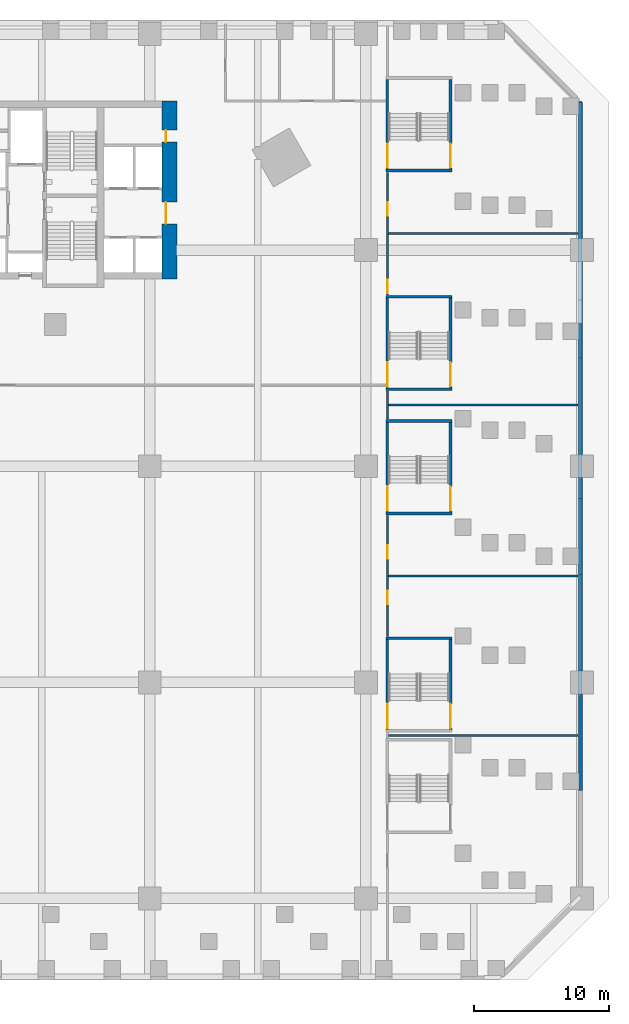
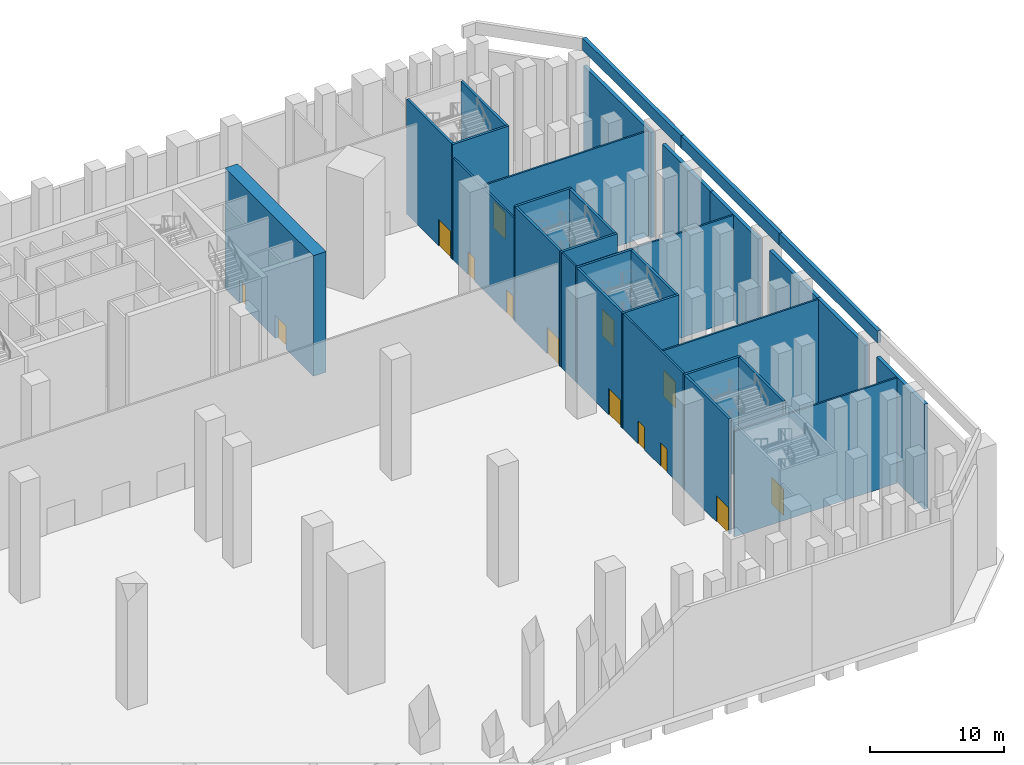
# One storey, part 10 of 31: 31 walls, 14 doors, 14 openings.
"""IFC4 building model written with IfcOpenShell, lengths in metres."""

from ifc_helpers import new_model, si_unit, direction, frame, frame_2d, origin, place, context, subcontext, project, spatial, rectangle, extrude, material, layer, layer_set, type_object, element, fill, save


model = new_model("IFC4")

# Units and contexts
model_context = context("Model", 3, precision=1e-05, world=origin(), true_north=direction((0.0, 1.0)))
body_context = subcontext(model_context, "Body", "Model", "MODEL_VIEW")
ifc_project = project(units=[si_unit("LENGTHUNIT", "METRE"), si_unit("AREAUNIT", "SQUARE_METRE"), si_unit("VOLUMEUNIT", "CUBIC_METRE"), si_unit("PLANEANGLEUNIT", "RADIAN"), si_unit("MASSUNIT", "GRAM", prefix="KILO")], contexts=[model_context])

# Site, building, storey
site_placement = place(None, origin())
site = spatial("IfcSite", under=ifc_project, at=site_placement, CompositionType="ELEMENT")
building_placement = place(site_placement, origin())
building = spatial("IfcBuilding", under=site, at=building_placement, Name="Calabash Gate Tower", CompositionType="ELEMENT")
storey_placement = place(building_placement, frame((0.0, 0.0, 9.0)))
storey = spatial("IfcBuildingStorey", under=building, at=storey_placement, Name="L01", CompositionType="ELEMENT", Elevation=9.0)

# Wall, openings, doors
ifc_material_1 = material(Name="Concrete C80/95", Category="concrete")
ifc_layer_1 = layer(ifc_material_1, 1.10009765625)
ifc_layer_set_1 = layer_set([ifc_layer_1], Name="Core wall 1100 Concrete C80/95")
wall_type_1 = type_object("IfcWallType", Name="Core wall 1100 Concrete C80/95", PredefinedType="SHEAR", material=ifc_layer_set_1)
wall_1_placement = place(storey_placement, frame((17.449951171875, 5.8525390625, 0.0), z_axis=(0.0, 0.0, 1.0), x_axis=(0.0, 1.0, 0.0)))
wall_1 = element("IfcWall", 1, at=wall_1_placement, inside=storey, type_object=wall_type_1, Name="Core wall Z0-ENDE L01", PredefinedType="SHEAR", context=body_context, shape_type="SweptSolid", body=[
    extrude(rectangle(XDim=13.199951171875, YDim=1.10009765625, at=frame_2d((6.60009765625, 0.0))), origin(), (0.0, 0.0, 1.0), 11.0),
])
opening_1_placement = place(wall_1_placement, frame((4.10009765625, 0.0, 0.0)))
opening_1 = element("IfcOpeningElement", 2, at=opening_1_placement, cuts=wall_1, Name="Opening L01-016", PredefinedType="OPENING", context=body_context, shape_type="SweptSolid", body=[
    extrude(rectangle(XDim=1.60009765625, YDim=2.10009765625, at=frame_2d((0.800048828125, 1.050048828125))), frame((0.0, 0.56005859375, 0.0), z_axis=(0.0, -1.0, 0.0), x_axis=(1.0, 0.0, 0.0)), (0.0, 0.0, 1.0), 1.1201171875),
])
opening_2_placement = place(wall_1_placement, frame((10.14990234375, 0.0, 0.0)))
opening_2 = element("IfcOpeningElement", 3, at=opening_2_placement, cuts=wall_1, Name="Opening L01-017", PredefinedType="OPENING", context=body_context, shape_type="SweptSolid", body=[
    extrude(rectangle(XDim=0.89990234375, YDim=2.10009765625, at=frame_2d((0.449951171875, 1.050048828125))), frame((0.0, 0.56005859375, 0.0), z_axis=(0.0, -1.0, 0.0), x_axis=(1.0, 0.0, 0.0)), (0.0, 0.0, 1.0), 1.1201171875),
])
ifc_material_2 = material(Name="Steel fire door set with fire-resisting glazing", Category="steel")
door_type_1 = type_object("IfcDoorType", Name="Double fire door D08 1600x2100 FD60", OperationType="DOUBLE_DOOR_SINGLE_SWING", PredefinedType="DOOR", material=ifc_material_2)
door_1_placement = place(opening_1_placement, origin())
door_1 = element("IfcDoor", 4, at=door_1_placement, inside=storey, type_object=door_type_1, Name="Low-rise Lift Lobby E door", OperationType="DOUBLE_DOOR_SINGLE_SWING", OverallHeight=2.10009765625, OverallWidth=1.60009765625, PredefinedType="DOOR", context=body_context, shape_type="SweptSolid", body=[
    extrude(rectangle(XDim=1.60009765625, YDim=2.10009765625, at=frame_2d((0.800048828125, 1.050048828125))), frame((0.0, 0.27490234375, 0.0), z_axis=(0.0, -1.0, 0.0), x_axis=(1.0, 0.0, 0.0)), (0.0, 0.0, 1.0), 0.050048828125),
])
fill(opening_1, door_1)
ifc_material_3 = material(Name="Steel fire door set with fire-resisting glazing", Category="steel")
door_type_2 = type_object("IfcDoorType", Name="Fire door D06 900x2100 FD60", OperationType="NOTDEFINED", PredefinedType="DOOR", material=ifc_material_3)
door_2_placement = place(opening_2_placement, origin())
door_2 = element("IfcDoor", 5, at=door_2_placement, inside=storey, type_object=door_type_2, Name="Meter Room door", OperationType="SINGLE_SWING_LEFT", OverallHeight=2.10009765625, OverallWidth=0.89990234375, PredefinedType="DOOR", context=body_context, shape_type="SweptSolid", body=[
    extrude(rectangle(XDim=0.89990234375, YDim=2.10009765625, at=frame_2d((0.449951171875, 1.050048828125))), frame((0.0, 0.27490234375, 0.0), z_axis=(0.0, -1.0, 0.0), x_axis=(1.0, 0.0, 0.0)), (0.0, 0.0, 1.0), 0.050048828125),
])
fill(opening_2, door_2)

# Wall
ifc_material_4 = material(Name="Gypsum board on steel studs, mineral wool", Category="steel")
ifc_layer_2 = layer(ifc_material_4, 0.14990234375)
ifc_layer_set_2 = layer_set([ifc_layer_2], Name="Partition 150 gypsum board")
wall_type_2 = type_object("IfcWallType", Name="Partition 150 gypsum board", PredefinedType="PARTITIONING", material=ifc_layer_set_2)
wall_2_placement = place(storey_placement, frame((33.675048828125, -27.925048828125, 0.0), z_axis=(0.0, 0.0, 1.0), x_axis=(1.0, 0.0, 0.0)))
element("IfcWall", 6, at=wall_2_placement, inside=storey, type_object=wall_type_2, Name="Partition", PredefinedType="PARTITIONING", context=body_context, shape_type="SweptSolid", body=[
    extrude(rectangle(XDim=14.044921875, YDim=0.14990234375, at=frame_2d((7.0224609375, 0.0))), origin(), (0.0, 0.0, 1.0), 9.60009765625),
])

# Wall, openings, doors
wall_3_placement = place(storey_placement, frame((33.60009765625, -20.610107421875, 0.0), z_axis=(0.0, 0.0, 1.0), x_axis=(0.0, 1.0, 0.0)))
wall_3 = element("IfcWall", 7, at=wall_3_placement, inside=storey, type_object=wall_type_2, Name="Partition", PredefinedType="PARTITIONING", context=body_context, shape_type="SweptSolid", body=[
    extrude(rectangle(XDim=8.97021484375, YDim=0.14990234375, at=frame_2d((4.485107421875, 0.0))), origin(), (0.0, 0.0, 1.0), 10.5),
])
opening_3_placement = place(wall_3_placement, frame((2.385009765625, 0.0, 0.0)))
opening_3 = element("IfcOpeningElement", 8, at=opening_3_placement, cuts=wall_3, Name="Opening L01-054", PredefinedType="OPENING", context=body_context, shape_type="SweptSolid", body=[
    extrude(rectangle(XDim=1.0, YDim=2.10009765625, at=frame_2d((0.5, 1.050048828125))), frame((0.0, 0.0849609375, 0.0), z_axis=(0.0, -1.0, 0.0), x_axis=(1.0, 0.0, 0.0)), (0.0, 0.0, 1.0), 0.169921875),
])
opening_4_placement = place(wall_3_placement, frame((5.759033203125, 0.0, 0.0)))
opening_4 = element("IfcOpeningElement", 9, at=opening_4_placement, cuts=wall_3, Name="Opening L01-055", PredefinedType="OPENING", context=body_context, shape_type="SweptSolid", body=[
    extrude(rectangle(XDim=1.0, YDim=2.10009765625, at=frame_2d((0.5, 1.050048828125))), frame((0.0, 0.0849609375, 0.0), z_axis=(0.0, -1.0, 0.0), x_axis=(1.0, 0.0, 0.0)), (0.0, 0.0, 1.0), 0.169921875),
])
ifc_material_5 = material(Name="Steel fire door set with fire-resisting glazing", Category="steel")
door_type_3 = type_object("IfcDoorType", Name="Fire door D11 1000x2100 FD60", OperationType="NOTDEFINED", PredefinedType="DOOR", material=ifc_material_5)
door_3_placement = place(opening_3_placement, origin())
door_3 = element("IfcDoor", 10, at=door_3_placement, inside=storey, type_object=door_type_3, Name="First Aid Room door", OperationType="SINGLE_SWING_LEFT", OverallHeight=2.10009765625, OverallWidth=1.0, PredefinedType="DOOR", context=body_context, shape_type="SweptSolid", body=[
    extrude(rectangle(XDim=1.0, YDim=2.10009765625, at=frame_2d((0.5, 1.050048828125))), frame((0.0, 0.02490234375, 0.0), z_axis=(0.0, -1.0, 0.0), x_axis=(1.0, 0.0, 0.0)), (0.0, 0.0, 1.0), 0.050048828125),
])
fill(opening_3, door_3)
door_4_placement = place(opening_4_placement, origin())
door_4 = element("IfcDoor", 11, at=door_4_placement, inside=storey, type_object=door_type_3, Name="Venue Security Control Room door", OperationType="SINGLE_SWING_LEFT", OverallHeight=2.10009765625, OverallWidth=1.0, PredefinedType="DOOR", context=body_context, shape_type="SweptSolid", body=[
    extrude(rectangle(XDim=1.0, YDim=2.10009765625, at=frame_2d((0.5, 1.050048828125))), frame((0.0, 0.02490234375, 0.0), z_axis=(0.0, -1.0, 0.0), x_axis=(1.0, 0.0, 0.0)), (0.0, 0.0, 1.0), 0.050048828125),
])
fill(opening_4, door_4)

# Walls
wall_4_placement = place(storey_placement, frame((33.675048828125, -16.125, 0.0), z_axis=(0.0, 0.0, 1.0), x_axis=(1.0, 0.0, 0.0)))
element("IfcWall", 12, at=wall_4_placement, inside=storey, type_object=wall_type_2, Name="Partition", PredefinedType="PARTITIONING", context=body_context, shape_type="SweptSolid", body=[
    extrude(rectangle(XDim=14.044921875, YDim=0.14990234375, at=frame_2d((7.0224609375, 0.0))), origin(), (0.0, 0.0, 1.0), 9.60009765625),
])
wall_5_placement = place(storey_placement, frame((33.60009765625, -4.510009765625, 0.0), z_axis=(0.0, 0.0, 1.0), x_axis=(0.0, 1.0, 0.0)))
element("IfcWall", 13, at=wall_5_placement, inside=storey, type_object=wall_type_2, Name="Partition", PredefinedType="PARTITIONING", context=body_context, shape_type="SweptSolid", body=[
    extrude(rectangle(XDim=2.070068359375, YDim=0.14990234375, at=frame_2d((1.03515625, 0.0))), origin(), (0.0, 0.0, 1.0), 10.5),
])
wall_6_placement = place(storey_placement, frame((33.675048828125, -3.47509765625, 0.0), z_axis=(0.0, 0.0, 1.0), x_axis=(1.0, 0.0, 0.0)))
element("IfcWall", 14, at=wall_6_placement, inside=storey, type_object=wall_type_2, Name="Partition", PredefinedType="PARTITIONING", context=body_context, shape_type="SweptSolid", body=[
    extrude(rectangle(XDim=14.044921875, YDim=0.14990234375, at=frame_2d((7.0224609375, 0.0))), origin(), (0.0, 0.0, 1.0), 9.60009765625),
])

# Wall, openings, doors
wall_7_placement = place(storey_placement, frame((33.60009765625, 4.68994140625, 0.0), z_axis=(0.0, 0.0, 1.0), x_axis=(0.0, 1.0, 0.0)))
wall_7 = element("IfcWall", 15, at=wall_7_placement, inside=storey, type_object=wall_type_2, Name="Partition", PredefinedType="PARTITIONING", context=body_context, shape_type="SweptSolid", body=[
    extrude(rectangle(XDim=9.070068359375, YDim=0.14990234375, at=frame_2d((4.53515625, 0.0))), origin(), (0.0, 0.0, 1.0), 9.300048828125),
])
opening_5_placement = place(wall_7_placement, frame((0.135009765625, 0.0, 0.0)))
opening_5 = element("IfcOpeningElement", 16, at=opening_5_placement, cuts=wall_7, Name="Opening L01-056", PredefinedType="OPENING", context=body_context, shape_type="SweptSolid", body=[
    extrude(rectangle(XDim=1.0, YDim=2.10009765625, at=frame_2d((0.5, 1.050048828125))), frame((0.0, 0.0849609375, 0.0), z_axis=(0.0, -1.0, 0.0), x_axis=(1.0, 0.0, 0.0)), (0.0, 0.0, 1.0), 0.169921875),
])
opening_6_placement = place(wall_7_placement, frame((5.85888671875, 0.0, 0.0)))
opening_6 = element("IfcOpeningElement", 17, at=opening_6_placement, cuts=wall_7, Name="Opening L01-057", PredefinedType="OPENING", context=body_context, shape_type="SweptSolid", body=[
    extrude(rectangle(XDim=1.0, YDim=2.10009765625, at=frame_2d((0.5, 1.050048828125))), frame((0.0, 0.0849609375, 0.0), z_axis=(0.0, -1.0, 0.0), x_axis=(1.0, 0.0, 0.0)), (0.0, 0.0, 1.0), 0.169921875),
])
door_5_placement = place(opening_5_placement, origin())
door_5 = element("IfcDoor", 18, at=door_5_placement, inside=storey, type_object=door_type_3, Name="Freight Store door", OperationType="SINGLE_SWING_LEFT", OverallHeight=2.10009765625, OverallWidth=1.0, PredefinedType="DOOR", context=body_context, shape_type="SweptSolid", body=[
    extrude(rectangle(XDim=1.0, YDim=2.10009765625, at=frame_2d((0.5, 1.050048828125))), frame((0.0, 0.02490234375, 0.0), z_axis=(0.0, -1.0, 0.0), x_axis=(1.0, 0.0, 0.0)), (0.0, 0.0, 1.0), 0.050048828125),
])
fill(opening_5, door_5)
door_6_placement = place(opening_6_placement, origin())
door_6 = element("IfcDoor", 19, at=door_6_placement, inside=storey, type_object=door_type_3, Name="Business Lounge door", OperationType="SINGLE_SWING_RIGHT", OverallHeight=2.10009765625, OverallWidth=1.0, PredefinedType="DOOR", context=body_context, shape_type="SweptSolid", body=[
    extrude(rectangle(XDim=1.0, YDim=2.10009765625, at=frame_2d((0.5, 1.050048828125))), frame((0.0, 0.02490234375, 0.0), z_axis=(0.0, -1.0, 0.0), x_axis=(1.0, 0.0, 0.0)), (0.0, 0.0, 1.0), 0.050048828125),
])
fill(opening_6, door_6)

# Walls
wall_8_placement = place(storey_placement, frame((33.675048828125, 9.22509765625, 0.0), z_axis=(0.0, 0.0, 1.0), x_axis=(1.0, 0.0, 0.0)))
element("IfcWall", 20, at=wall_8_placement, inside=storey, type_object=wall_type_2, Name="Partition", PredefinedType="PARTITIONING", context=body_context, shape_type="SweptSolid", body=[
    extrude(rectangle(XDim=14.044921875, YDim=0.14990234375, at=frame_2d((7.0224609375, 0.0))), origin(), (0.0, 0.0, 1.0), 9.60009765625),
])
ifc_material_6 = material(Name="Terracotta brick masonry, exposed face", Category="masonry")
ifc_layer_3 = layer(ifc_material_6, 0.300048828125)
ifc_layer_set_3 = layer_set([ifc_layer_3], Name="Podium brick wall 300")
wall_type_3 = type_object("IfcWallType", Name="Podium brick wall 300", PredefinedType="SOLIDWALL", material=ifc_layer_set_3)
for number, where, z_axis, x_axis, name in (
    (21, (47.89990234375, -32.0, 0.0), (0.0, 0.0, 1.0), (0.0, 1.0, 0.0), "Podium brick wall L01 2.0.1"),
    (22, (47.89990234375, -23.14794921875, 0.0), (0.0, 0.0, 1.0), (0.0, 1.0, 0.0), "Podium brick wall L01 2.1.0"),
    (23, (47.89990234375, -16.0, 0.0), (0.0, 0.0, 1.0), (0.0, 1.0, 0.0), "Podium brick wall L01 2.1.1"),
    (24, (47.89990234375, -7.14794921875, 0.0), (0.0, 0.0, 1.0), (0.0, 1.0, 0.0), "Podium brick wall L01 2.2.0"),
    (25, (47.89990234375, 0.0, 0.0), (0.0, 0.0, 1.0), (0.0, 1.0, 0.0), "Podium brick wall L01 2.2.1"),
):
    element("IfcWall", number, at=place(storey_placement, frame(where, z_axis=z_axis, x_axis=x_axis)), inside=storey, type_object=wall_type_3, Name=name, PredefinedType="SOLIDWALL", context=body_context, shape_type="SweptSolid", body=[
        extrude(rectangle(XDim=7.14794921875, YDim=0.300048828125, at=frame_2d((3.573974609375, 0.0))), origin(), (0.0, 0.0, 1.0), 9.60009765625),
    ])
wall_9_placement = place(storey_placement, frame((47.89990234375, 8.85205078125, 0.0), z_axis=(0.0, 0.0, 1.0), x_axis=(0.0, 1.0, 0.0)))
element("IfcWall", 26, at=wall_9_placement, inside=storey, type_object=wall_type_3, Name="Podium brick wall L01 2.3.0", PredefinedType="SOLIDWALL", context=body_context, shape_type="SweptSolid", body=[
    extrude(rectangle(XDim=10.097900390625, YDim=0.300048828125, at=frame_2d((5.048828125, 0.0))), origin(), (0.0, 0.0, 1.0), 9.60009765625),
])
ifc_material_7 = material(Name="Terracotta brick masonry, exposed face", Category="masonry")
ifc_layer_4 = layer(ifc_material_7, 0.300048828125)
ifc_layer_set_4 = layer_set([ifc_layer_4], Name="Podium parapet wall 300")
wall_type_4 = type_object("IfcWallType", Name="Podium parapet wall 300", PredefinedType="PARAPET", material=ifc_layer_set_4)
for number, where, z_axis, x_axis, name in (
    (27, (47.85009765625, -25.092529296875, 11.0), (0.0, 0.0, 1.0), (0.0, 1.0, 0.0), "Podium parapet L01 2.0.1"),
    (28, (47.85009765625, -10.39501953125, 11.0), (0.0, 0.0, 1.0), (0.0, 1.0, 0.0), "Podium parapet L01 2.0.2"),
    (29, (47.85009765625, 4.302490234375, 11.0), (0.0, 0.0, 1.0), (0.0, 1.0, 0.0), "Podium parapet L01 2.0.3"),
):
    element("IfcWall", number, at=place(storey_placement, frame(where, z_axis=z_axis, x_axis=x_axis)), inside=storey, type_object=wall_type_4, Name=name, PredefinedType="PARAPET", context=body_context, shape_type="SweptSolid", body=[
        extrude(rectangle(XDim=14.697509765625, YDim=0.300048828125, at=frame_2d((7.3486328125, 0.0))), origin(), (0.0, 0.0, 1.0), 1.10009765625),
    ])
ifc_material_8 = material(Name="Concrete C40/50", Category="concrete")
ifc_layer_5 = layer(ifc_material_8, 0.199951171875)
ifc_layer_set_5 = layer_set([ifc_layer_5], Name="Stair wall 200 Concrete C40/50")
wall_type_5 = type_object("IfcWallType", Name="Stair wall 200 Concrete C40/50", PredefinedType="SOLIDWALL", material=ifc_layer_set_5)
wall_10_placement = place(storey_placement, frame((33.5, -20.75, 0.0), z_axis=(0.0, 0.0, 1.0), x_axis=(1.0, 0.0, 0.0)))
element("IfcWall", 30, at=wall_10_placement, inside=storey, type_object=wall_type_5, Name="Stair wall", PredefinedType="SOLIDWALL", context=body_context, shape_type="SweptSolid", body=[
    extrude(rectangle(XDim=4.8701171875, YDim=0.199951171875, at=frame_2d((2.43505859375, 0.0))), origin(), (0.0, 0.0, 1.0), 10.5),
])

# Wall, opening, door
wall_11_placement = place(storey_placement, frame((33.60009765625, -27.5, 0.0), z_axis=(0.0, 0.0, 1.0), x_axis=(0.0, 1.0, 0.0)))
wall_11 = element("IfcWall", 31, at=wall_11_placement, inside=storey, type_object=wall_type_5, Name="Stair wall", PredefinedType="SOLIDWALL", context=body_context, shape_type="SweptSolid", body=[
    extrude(rectangle(XDim=6.64990234375, YDim=0.199951171875, at=frame_2d((3.324951171875, 0.0))), origin(), (0.0, 0.0, 1.0), 10.5),
])
opening_7_placement = place(wall_11_placement, frame((0.10009765625, 0.0, 0.0)))
opening_7 = element("IfcOpeningElement", 32, at=opening_7_placement, cuts=wall_11, Name="Opening L01-030", PredefinedType="OPENING", context=body_context, shape_type="SweptSolid", body=[
    extrude(rectangle(XDim=1.800048828125, YDim=2.39990234375, at=frame_2d((0.89990234375, 1.199951171875))), frame((0.0, 0.10986328125, 0.0), z_axis=(0.0, -1.0, 0.0), x_axis=(1.0, 0.0, 0.0)), (0.0, 0.0, 1.0), 0.219970703125),
])
ifc_material_9 = material(Name="Steel fire door set with fire-resisting glazing", Category="steel")
door_type_4 = type_object("IfcDoorType", Name="Double fire door D16 1800x2400 FD90", OperationType="DOUBLE_DOOR_SINGLE_SWING", PredefinedType="DOOR", material=ifc_material_9)
door_7_placement = place(opening_7_placement, origin())
door_7 = element("IfcDoor", 33, at=door_7_placement, inside=storey, type_object=door_type_4, Name="Exit stair door PS7", OperationType="DOUBLE_DOOR_SINGLE_SWING", OverallHeight=2.39990234375, OverallWidth=1.800048828125, PredefinedType="DOOR", context=body_context, shape_type="SweptSolid", body=[
    extrude(rectangle(XDim=1.800048828125, YDim=2.39990234375, at=frame_2d((0.89990234375, 1.199951171875))), frame((0.0, 0.02490234375, 0.0), z_axis=(0.0, -1.0, 0.0), x_axis=(1.0, 0.0, 0.0)), (0.0, 0.0, 1.0), 0.050048828125),
])
fill(opening_7, door_7)

wall_12_placement = place(storey_placement, frame((38.27001953125, -27.5, 0.0), z_axis=(0.0, 0.0, 1.0), x_axis=(0.0, 1.0, 0.0)))
wall_12 = element("IfcWall", 34, at=wall_12_placement, inside=storey, type_object=wall_type_5, Name="Stair wall", PredefinedType="SOLIDWALL", context=body_context, shape_type="SweptSolid", body=[
    extrude(rectangle(XDim=6.64990234375, YDim=0.199951171875, at=frame_2d((3.324951171875, 0.0))), origin(), (0.0, 0.0, 1.0), 10.5),
])
opening_8_placement = place(wall_12_placement, frame((0.10009765625, 0.0, 0.0)))
opening_8 = element("IfcOpeningElement", 35, at=opening_8_placement, cuts=wall_12, Name="Opening L01-031", PredefinedType="OPENING", context=body_context, shape_type="SweptSolid", body=[
    extrude(rectangle(XDim=1.800048828125, YDim=2.39990234375, at=frame_2d((0.89990234375, 1.199951171875))), frame((0.0, 0.10986328125, 0.0), z_axis=(0.0, -1.0, 0.0), x_axis=(1.0, 0.0, 0.0)), (0.0, 0.0, 1.0), 0.219970703125),
])
door_8_placement = place(opening_8_placement, origin())
door_8 = element("IfcDoor", 36, at=door_8_placement, inside=storey, type_object=door_type_4, Name="Exit stair door PS7", OperationType="DOUBLE_DOOR_SINGLE_SWING", OverallHeight=2.39990234375, OverallWidth=1.800048828125, PredefinedType="DOOR", context=body_context, shape_type="SweptSolid", body=[
    extrude(rectangle(XDim=1.800048828125, YDim=2.39990234375, at=frame_2d((0.89990234375, 1.199951171875))), frame((0.0, 0.02490234375, 0.0), z_axis=(0.0, -1.0, 0.0), x_axis=(1.0, 0.0, 0.0)), (0.0, 0.0, 1.0), 0.050048828125),
])
fill(opening_8, door_8)

# Walls
for number, where, z_axis, x_axis, name in (
    (37, (33.5, -11.5, 0.0), (0.0, 0.0, 1.0), (1.0, 0.0, 0.0), "Stair wall"),
    (38, (33.5, -4.64990234375, 0.0), (0.0, 0.0, 1.0), (1.0, 0.0, 0.0), "Stair wall"),
):
    element("IfcWall", number, at=place(storey_placement, frame(where, z_axis=z_axis, x_axis=x_axis)), inside=storey, type_object=wall_type_5, Name=name, PredefinedType="SOLIDWALL", context=body_context, shape_type="SweptSolid", body=[
        extrude(rectangle(XDim=4.8701171875, YDim=0.199951171875, at=frame_2d((2.43505859375, 0.0))), origin(), (0.0, 0.0, 1.0), 10.5),
    ])

# Wall, opening, door
wall_13_placement = place(storey_placement, frame((33.60009765625, -11.39990234375, 0.0), z_axis=(0.0, 0.0, 1.0), x_axis=(0.0, 1.0, 0.0)))
wall_13 = element("IfcWall", 39, at=wall_13_placement, inside=storey, type_object=wall_type_5, Name="Stair wall", PredefinedType="SOLIDWALL", context=body_context, shape_type="SweptSolid", body=[
    extrude(rectangle(XDim=6.64990234375, YDim=0.199951171875, at=frame_2d((3.324951171875, 0.0))), origin(), (0.0, 0.0, 1.0), 10.5),
])
opening_9_placement = place(wall_13_placement, frame((0.10009765625, 0.0, 0.0)))
opening_9 = element("IfcOpeningElement", 40, at=opening_9_placement, cuts=wall_13, Name="Opening L01-032", PredefinedType="OPENING", context=body_context, shape_type="SweptSolid", body=[
    extrude(rectangle(XDim=1.800048828125, YDim=2.39990234375, at=frame_2d((0.89990234375, 1.199951171875))), frame((0.0, 0.10986328125, 0.0), z_axis=(0.0, -1.0, 0.0), x_axis=(1.0, 0.0, 0.0)), (0.0, 0.0, 1.0), 0.219970703125),
])
door_9_placement = place(opening_9_placement, origin())
door_9 = element("IfcDoor", 41, at=door_9_placement, inside=storey, type_object=door_type_4, Name="Exit stair door PS8", OperationType="DOUBLE_DOOR_SINGLE_SWING", OverallHeight=2.39990234375, OverallWidth=1.800048828125, PredefinedType="DOOR", context=body_context, shape_type="SweptSolid", body=[
    extrude(rectangle(XDim=1.800048828125, YDim=2.39990234375, at=frame_2d((0.89990234375, 1.199951171875))), frame((0.0, 0.02490234375, 0.0), z_axis=(0.0, -1.0, 0.0), x_axis=(1.0, 0.0, 0.0)), (0.0, 0.0, 1.0), 0.050048828125),
])
fill(opening_9, door_9)

wall_14_placement = place(storey_placement, frame((38.27001953125, -11.39990234375, 0.0), z_axis=(0.0, 0.0, 1.0), x_axis=(0.0, 1.0, 0.0)))
wall_14 = element("IfcWall", 42, at=wall_14_placement, inside=storey, type_object=wall_type_5, Name="Stair wall", PredefinedType="SOLIDWALL", context=body_context, shape_type="SweptSolid", body=[
    extrude(rectangle(XDim=6.64990234375, YDim=0.199951171875, at=frame_2d((3.324951171875, 0.0))), origin(), (0.0, 0.0, 1.0), 10.5),
])
opening_10_placement = place(wall_14_placement, frame((0.10009765625, 0.0, 0.0)))
opening_10 = element("IfcOpeningElement", 43, at=opening_10_placement, cuts=wall_14, Name="Opening L01-033", PredefinedType="OPENING", context=body_context, shape_type="SweptSolid", body=[
    extrude(rectangle(XDim=1.800048828125, YDim=2.39990234375, at=frame_2d((0.89990234375, 1.199951171875))), frame((0.0, 0.10986328125, 0.0), z_axis=(0.0, -1.0, 0.0), x_axis=(1.0, 0.0, 0.0)), (0.0, 0.0, 1.0), 0.219970703125),
])
door_10_placement = place(opening_10_placement, origin())
door_10 = element("IfcDoor", 44, at=door_10_placement, inside=storey, type_object=door_type_4, Name="Exit stair door PS8", OperationType="DOUBLE_DOOR_SINGLE_SWING", OverallHeight=2.39990234375, OverallWidth=1.800048828125, PredefinedType="DOOR", context=body_context, shape_type="SweptSolid", body=[
    extrude(rectangle(XDim=1.800048828125, YDim=2.39990234375, at=frame_2d((0.89990234375, 1.199951171875))), frame((0.0, 0.02490234375, 0.0), z_axis=(0.0, -1.0, 0.0), x_axis=(1.0, 0.0, 0.0)), (0.0, 0.0, 1.0), 0.050048828125),
])
fill(opening_10, door_10)

# Walls
for number, where, z_axis, x_axis, name in (
    (45, (33.5, -2.300048828125, 0.0), (0.0, 0.0, 1.0), (1.0, 0.0, 0.0), "Stair wall"),
    (46, (33.5, 4.550048828125, 0.0), (0.0, 0.0, 1.0), (1.0, 0.0, 0.0), "Stair wall"),
):
    element("IfcWall", number, at=place(storey_placement, frame(where, z_axis=z_axis, x_axis=x_axis)), inside=storey, type_object=wall_type_5, Name=name, PredefinedType="SOLIDWALL", context=body_context, shape_type="SweptSolid", body=[
        extrude(rectangle(XDim=4.8701171875, YDim=0.199951171875, at=frame_2d((2.43505859375, 0.0))), origin(), (0.0, 0.0, 1.0), 10.5),
    ])

# Wall, opening, door
wall_15_placement = place(storey_placement, frame((33.60009765625, -2.199951171875, 0.0), z_axis=(0.0, 0.0, 1.0), x_axis=(0.0, 1.0, 0.0)))
wall_15 = element("IfcWall", 47, at=wall_15_placement, inside=storey, type_object=wall_type_5, Name="Stair wall", PredefinedType="SOLIDWALL", context=body_context, shape_type="SweptSolid", body=[
    extrude(rectangle(XDim=6.64990234375, YDim=0.199951171875, at=frame_2d((3.324951171875, 0.0))), origin(), (0.0, 0.0, 1.0), 10.5),
])
opening_11_placement = place(wall_15_placement, frame((0.10009765625, 0.0, 0.0)))
opening_11 = element("IfcOpeningElement", 48, at=opening_11_placement, cuts=wall_15, Name="Opening L01-034", PredefinedType="OPENING", context=body_context, shape_type="SweptSolid", body=[
    extrude(rectangle(XDim=1.800048828125, YDim=2.39990234375, at=frame_2d((0.89990234375, 1.199951171875))), frame((0.0, 0.10986328125, 0.0), z_axis=(0.0, -1.0, 0.0), x_axis=(1.0, 0.0, 0.0)), (0.0, 0.0, 1.0), 0.219970703125),
])
door_11_placement = place(opening_11_placement, origin())
door_11 = element("IfcDoor", 49, at=door_11_placement, inside=storey, type_object=door_type_4, Name="Exit stair door PS9", OperationType="DOUBLE_DOOR_SINGLE_SWING", OverallHeight=2.39990234375, OverallWidth=1.800048828125, PredefinedType="DOOR", context=body_context, shape_type="SweptSolid", body=[
    extrude(rectangle(XDim=1.800048828125, YDim=2.39990234375, at=frame_2d((0.89990234375, 1.199951171875))), frame((0.0, 0.02490234375, 0.0), z_axis=(0.0, -1.0, 0.0), x_axis=(1.0, 0.0, 0.0)), (0.0, 0.0, 1.0), 0.050048828125),
])
fill(opening_11, door_11)

wall_16_placement = place(storey_placement, frame((38.27001953125, -2.199951171875, 0.0), z_axis=(0.0, 0.0, 1.0), x_axis=(0.0, 1.0, 0.0)))
wall_16 = element("IfcWall", 50, at=wall_16_placement, inside=storey, type_object=wall_type_5, Name="Stair wall", PredefinedType="SOLIDWALL", context=body_context, shape_type="SweptSolid", body=[
    extrude(rectangle(XDim=6.64990234375, YDim=0.199951171875, at=frame_2d((3.324951171875, 0.0))), origin(), (0.0, 0.0, 1.0), 10.5),
])
opening_12_placement = place(wall_16_placement, frame((0.10009765625, 0.0, 0.0)))
opening_12 = element("IfcOpeningElement", 51, at=opening_12_placement, cuts=wall_16, Name="Opening L01-035", PredefinedType="OPENING", context=body_context, shape_type="SweptSolid", body=[
    extrude(rectangle(XDim=1.800048828125, YDim=2.39990234375, at=frame_2d((0.89990234375, 1.199951171875))), frame((0.0, 0.10986328125, 0.0), z_axis=(0.0, -1.0, 0.0), x_axis=(1.0, 0.0, 0.0)), (0.0, 0.0, 1.0), 0.219970703125),
])
door_12_placement = place(opening_12_placement, origin())
door_12 = element("IfcDoor", 52, at=door_12_placement, inside=storey, type_object=door_type_4, Name="Exit stair door PS9", OperationType="DOUBLE_DOOR_SINGLE_SWING", OverallHeight=2.39990234375, OverallWidth=1.800048828125, PredefinedType="DOOR", context=body_context, shape_type="SweptSolid", body=[
    extrude(rectangle(XDim=1.800048828125, YDim=2.39990234375, at=frame_2d((0.89990234375, 1.199951171875))), frame((0.0, 0.02490234375, 0.0), z_axis=(0.0, -1.0, 0.0), x_axis=(1.0, 0.0, 0.0)), (0.0, 0.0, 1.0), 0.050048828125),
])
fill(opening_12, door_12)

# Wall
wall_17_placement = place(storey_placement, frame((33.5, 13.89990234375, 0.0), z_axis=(0.0, 0.0, 1.0), x_axis=(1.0, 0.0, 0.0)))
element("IfcWall", 53, at=wall_17_placement, inside=storey, type_object=wall_type_5, Name="Stair wall", PredefinedType="SOLIDWALL", context=body_context, shape_type="SweptSolid", body=[
    extrude(rectangle(XDim=4.8701171875, YDim=0.199951171875, at=frame_2d((2.43505859375, 0.0))), origin(), (0.0, 0.0, 1.0), 10.5),
])

# Wall, opening, door
wall_18_placement = place(storey_placement, frame((33.60009765625, 14.0, 0.0), z_axis=(0.0, 0.0, 1.0), x_axis=(0.0, 1.0, 0.0)))
wall_18 = element("IfcWall", 54, at=wall_18_placement, inside=storey, type_object=wall_type_5, Name="Stair wall", PredefinedType="SOLIDWALL", context=body_context, shape_type="SweptSolid", body=[
    extrude(rectangle(XDim=6.64990234375, YDim=0.199951171875, at=frame_2d((3.324951171875, 0.0))), origin(), (0.0, 0.0, 1.0), 10.5),
])
opening_13_placement = place(wall_18_placement, frame((0.10009765625, 0.0, 0.0)))
opening_13 = element("IfcOpeningElement", 55, at=opening_13_placement, cuts=wall_18, Name="Opening L01-036", PredefinedType="OPENING", context=body_context, shape_type="SweptSolid", body=[
    extrude(rectangle(XDim=1.800048828125, YDim=2.39990234375, at=frame_2d((0.89990234375, 1.199951171875))), frame((0.0, 0.10986328125, 0.0), z_axis=(0.0, -1.0, 0.0), x_axis=(1.0, 0.0, 0.0)), (0.0, 0.0, 1.0), 0.219970703125),
])
door_13_placement = place(opening_13_placement, origin())
door_13 = element("IfcDoor", 56, at=door_13_placement, inside=storey, type_object=door_type_4, Name="Exit stair door PS10", OperationType="DOUBLE_DOOR_SINGLE_SWING", OverallHeight=2.39990234375, OverallWidth=1.800048828125, PredefinedType="DOOR", context=body_context, shape_type="SweptSolid", body=[
    extrude(rectangle(XDim=1.800048828125, YDim=2.39990234375, at=frame_2d((0.89990234375, 1.199951171875))), frame((0.0, 0.02490234375, 0.0), z_axis=(0.0, -1.0, 0.0), x_axis=(1.0, 0.0, 0.0)), (0.0, 0.0, 1.0), 0.050048828125),
])
fill(opening_13, door_13)

wall_19_placement = place(storey_placement, frame((38.27001953125, 14.0, 0.0), z_axis=(0.0, 0.0, 1.0), x_axis=(0.0, 1.0, 0.0)))
wall_19 = element("IfcWall", 57, at=wall_19_placement, inside=storey, type_object=wall_type_5, Name="Stair wall", PredefinedType="SOLIDWALL", context=body_context, shape_type="SweptSolid", body=[
    extrude(rectangle(XDim=6.64990234375, YDim=0.199951171875, at=frame_2d((3.324951171875, 0.0))), origin(), (0.0, 0.0, 1.0), 10.5),
])
opening_14_placement = place(wall_19_placement, frame((0.10009765625, 0.0, 0.0)))
opening_14 = element("IfcOpeningElement", 58, at=opening_14_placement, cuts=wall_19, Name="Opening L01-037", PredefinedType="OPENING", context=body_context, shape_type="SweptSolid", body=[
    extrude(rectangle(XDim=1.800048828125, YDim=2.39990234375, at=frame_2d((0.89990234375, 1.199951171875))), frame((0.0, 0.10986328125, 0.0), z_axis=(0.0, -1.0, 0.0), x_axis=(1.0, 0.0, 0.0)), (0.0, 0.0, 1.0), 0.219970703125),
])
door_14_placement = place(opening_14_placement, origin())
door_14 = element("IfcDoor", 59, at=door_14_placement, inside=storey, type_object=door_type_4, Name="Exit stair door PS10", OperationType="DOUBLE_DOOR_SINGLE_SWING", OverallHeight=2.39990234375, OverallWidth=1.800048828125, PredefinedType="DOOR", context=body_context, shape_type="SweptSolid", body=[
    extrude(rectangle(XDim=1.800048828125, YDim=2.39990234375, at=frame_2d((0.89990234375, 1.199951171875))), frame((0.0, 0.02490234375, 0.0), z_axis=(0.0, -1.0, 0.0), x_axis=(1.0, 0.0, 0.0)), (0.0, 0.0, 1.0), 0.050048828125),
])
fill(opening_14, door_14)

save(model, "model.ifc")
